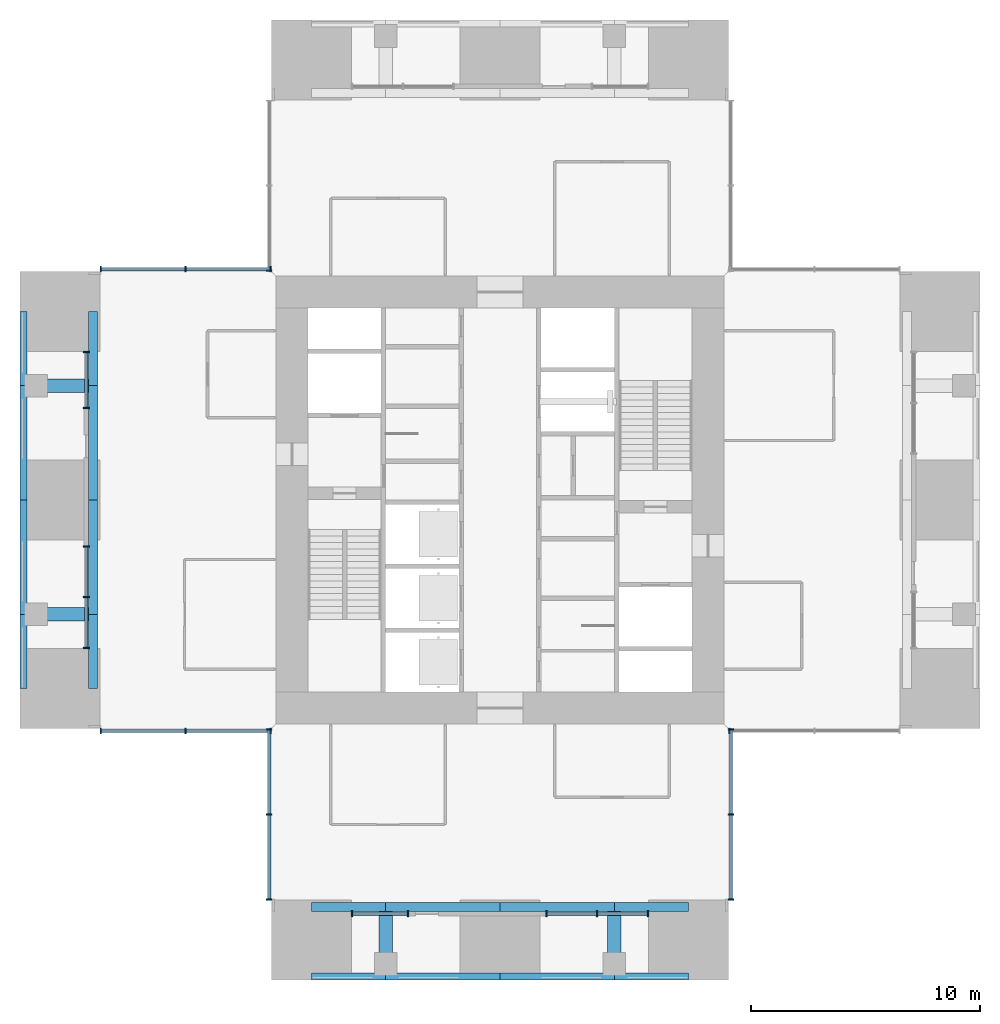
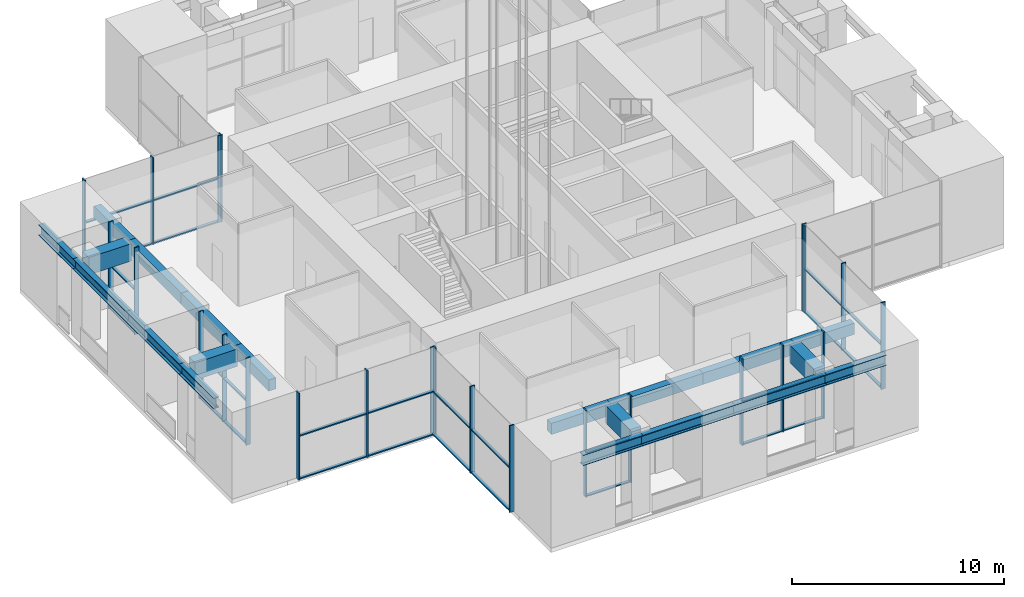
# One storey, part 2 of 17: 52 members, 20 beams, 10 elements without a shape of their own.
"""IFC4 building model written with IfcOpenShell, lengths in metres."""

from ifc_helpers import new_model, si_unit, direction, frame, origin, origin_2d, place, context, subcontext, project, spatial, rectangle, i_section, extrude, material, material_profile, profile_set, type_object, element, aggregate, save


model = new_model("IFC4")

# Units and contexts
model_context = context("Model", 3, precision=1e-05, world=origin(), true_north=direction((0.0, 1.0)))
body_context = subcontext(model_context, "Body", "Model", "MODEL_VIEW")
ifc_project = project(units=[si_unit("LENGTHUNIT", "METRE"), si_unit("AREAUNIT", "SQUARE_METRE"), si_unit("VOLUMEUNIT", "CUBIC_METRE"), si_unit("PLANEANGLEUNIT", "RADIAN"), si_unit("MASSUNIT", "GRAM", prefix="KILO")], contexts=[model_context])

# Site, building, storey
site_placement = place(None, origin())
site = spatial("IfcSite", under=ifc_project, at=site_placement, CompositionType="ELEMENT")
building_placement = place(site_placement, origin())
building = spatial("IfcBuilding", under=site, at=building_placement, Name="Svetlomir Tower", CompositionType="ELEMENT")
storey_placement = place(building_placement, frame((0.0, 0.0, 165.5)))
storey = spatial("IfcBuildingStorey", under=building, at=storey_placement, Name="L39", CompositionType="ELEMENT", Elevation=165.5)

# Curtain wall, members
ifc_material_1 = material(Name="Bronze anodised aluminium curtain wall", Category="aluminium")
curtain_wall_type = type_object("IfcCurtainWallType", Name="CURTAIN WALL CW2 SKY LOBBY", PredefinedType="NOTDEFINED", material=ifc_material_1)
curtain_wall_1_placement = place(storey_placement, origin())
curtain_wall_1 = element("IfcCurtainWall", 1, at=curtain_wall_1_placement, inside=storey, type_object=curtain_wall_type, Name="Curtain wall CW2 L39", PredefinedType="NOTDEFINED")
ifc_material_2 = material(Name="Bronze anodised aluminium", Category="aluminium")
ifc_material_profile_1 = material_profile(ifc_material_2, rectangle(XDim=0.06494140625, YDim=0.25, at=origin_2d()), Name="AL 65x250")
ifc_profile_set_1 = profile_set([ifc_material_profile_1], Name="Bronze anodised aluminium 6063-T6")
member_type_1 = type_object("IfcMemberType", Name="CW2 MULLION 65x250", PredefinedType="MULLION", material=ifc_profile_set_1)
member_1_placement = place(storey_placement, frame((14.532470703125, 2.89990234375, 0.0), z_axis=(0.0, 0.0, 1.0), x_axis=(1.0, 0.0, 0.0)))
member_1 = element("IfcMember", 2, at=member_1_placement, type_object=member_type_1, Name="CW2 mullion 1", PredefinedType="MULLION", context=body_context, shape_type="SweptSolid", body=[
    extrude(rectangle(XDim=0.06494140625, YDim=0.25, at=origin_2d()), origin(), (0.0, 0.0, 1.0), 5.0),
])
member_2_placement = place(storey_placement, frame((16.967529296875, 2.89990234375, 0.0), z_axis=(0.0, 0.0, 1.0), x_axis=(1.0, 0.0, 0.0)))
member_2 = element("IfcMember", 3, at=member_2_placement, type_object=member_type_1, Name="CW2 mullion 2", PredefinedType="MULLION", context=body_context, shape_type="SweptSolid", body=[
    extrude(rectangle(XDim=0.06494140625, YDim=0.25, at=origin_2d()), origin(), (0.0, 0.0, 1.0), 5.0),
])

curtain_wall_2_placement = place(storey_placement, origin())
curtain_wall_2 = element("IfcCurtainWall", 4, at=curtain_wall_2_placement, inside=storey, type_object=curtain_wall_type, Name="Curtain wall CW2 L39", PredefinedType="NOTDEFINED")
member_3_placement = place(storey_placement, frame((23.032470703125, 2.89990234375, 0.0), z_axis=(0.0, 0.0, 1.0), x_axis=(1.0, 0.0, 0.0)))
member_3 = element("IfcMember", 5, at=member_3_placement, type_object=member_type_1, Name="CW2 mullion 1", PredefinedType="MULLION", context=body_context, shape_type="SweptSolid", body=[
    extrude(rectangle(XDim=0.06494140625, YDim=0.25, at=origin_2d()), origin(), (0.0, 0.0, 1.0), 5.0),
])
member_4_placement = place(storey_placement, frame((25.25, 2.89990234375, 0.0), z_axis=(0.0, 0.0, 1.0), x_axis=(1.0, 0.0, 0.0)))
member_4 = element("IfcMember", 6, at=member_4_placement, type_object=member_type_1, Name="CW2 mullion 2", PredefinedType="MULLION", context=body_context, shape_type="SweptSolid", body=[
    extrude(rectangle(XDim=0.06494140625, YDim=0.25, at=origin_2d()), origin(), (0.0, 0.0, 1.0), 5.0),
])
member_5_placement = place(storey_placement, frame((27.467529296875, 2.89990234375, 0.0), z_axis=(0.0, 0.0, 1.0), x_axis=(1.0, 0.0, 0.0)))
member_5 = element("IfcMember", 7, at=member_5_placement, type_object=member_type_1, Name="CW2 mullion 3", PredefinedType="MULLION", context=body_context, shape_type="SweptSolid", body=[
    extrude(rectangle(XDim=0.06494140625, YDim=0.25, at=origin_2d()), origin(), (0.0, 0.0, 1.0), 5.0),
])

curtain_wall_3_placement = place(storey_placement, origin())
curtain_wall_3 = element("IfcCurtainWall", 8, at=curtain_wall_3_placement, inside=storey, type_object=curtain_wall_type, Name="Curtain wall CW2 L39", PredefinedType="NOTDEFINED")
member_6_placement = place(storey_placement, frame((31.10009765625, 3.532470703125, 0.0), z_axis=(0.0, 0.0, 1.0), x_axis=(0.0, 1.0, 0.0)))
member_6 = element("IfcMember", 9, at=member_6_placement, type_object=member_type_1, Name="CW2 mullion 1", PredefinedType="MULLION", context=body_context, shape_type="SweptSolid", body=[
    extrude(rectangle(XDim=0.06494140625, YDim=0.25, at=origin_2d()), origin(), (0.0, 0.0, 1.0), 5.0),
])
member_7_placement = place(storey_placement, frame((31.10009765625, 7.25, 0.0), z_axis=(0.0, 0.0, 1.0), x_axis=(0.0, 1.0, 0.0)))
member_7 = element("IfcMember", 10, at=member_7_placement, type_object=member_type_1, Name="CW2 mullion 2", PredefinedType="MULLION", context=body_context, shape_type="SweptSolid", body=[
    extrude(rectangle(XDim=0.06494140625, YDim=0.25, at=origin_2d()), origin(), (0.0, 0.0, 1.0), 5.0),
])
member_8_placement = place(storey_placement, frame((31.10009765625, 10.967529296875, 0.0), z_axis=(0.0, 0.0, 1.0), x_axis=(0.0, 1.0, 0.0)))
member_8 = element("IfcMember", 11, at=member_8_placement, type_object=member_type_1, Name="CW2 mullion 3", PredefinedType="MULLION", context=body_context, shape_type="SweptSolid", body=[
    extrude(rectangle(XDim=0.06494140625, YDim=0.25, at=origin_2d()), origin(), (0.0, 0.0, 1.0), 5.0),
])

# Curtain wall, member
curtain_wall_4_placement = place(storey_placement, origin())
curtain_wall_4 = element("IfcCurtainWall", 12, at=curtain_wall_4_placement, inside=storey, type_object=curtain_wall_type, Name="Curtain wall CW2 L39", PredefinedType="NOTDEFINED")
member_9_placement = place(storey_placement, frame((31.032470703125, 10.89990234375, 0.0), z_axis=(0.0, 0.0, 1.0), x_axis=(1.0, 0.0, 0.0)))
member_9 = element("IfcMember", 13, at=member_9_placement, type_object=member_type_1, Name="CW2 mullion 1", PredefinedType="MULLION", context=body_context, shape_type="SweptSolid", body=[
    extrude(rectangle(XDim=0.06494140625, YDim=0.25, at=origin_2d()), origin(), (0.0, 0.0, 1.0), 5.0),
])
aggregate(curtain_wall_4, [member_9])

curtain_wall_5_placement = place(storey_placement, origin())
curtain_wall_5 = element("IfcCurtainWall", 14, at=curtain_wall_5_placement, inside=storey, type_object=curtain_wall_type, Name="Curtain wall CW2 L39", PredefinedType="NOTDEFINED")
member_10_placement = place(storey_placement, frame((10.89990234375, 31.032470703125, 0.0), z_axis=(0.0, 0.0, 1.0), x_axis=(0.0, -1.0, 0.0)))
member_10 = element("IfcMember", 15, at=member_10_placement, type_object=member_type_1, Name="CW2 mullion 3", PredefinedType="MULLION", context=body_context, shape_type="SweptSolid", body=[
    extrude(rectangle(XDim=0.06494140625, YDim=0.25, at=origin_2d()), origin(), (0.0, 0.0, 1.0), 5.0),
])
aggregate(curtain_wall_5, [member_10])

# Curtain wall, members
curtain_wall_6_placement = place(storey_placement, origin())
curtain_wall_6 = element("IfcCurtainWall", 16, at=curtain_wall_6_placement, inside=storey, type_object=curtain_wall_type, Name="Curtain wall CW2 L39", PredefinedType="NOTDEFINED")
member_11_placement = place(storey_placement, frame((10.967529296875, 31.10009765625, 0.0), z_axis=(0.0, 0.0, 1.0), x_axis=(-1.0, 0.0, 0.0)))
member_11 = element("IfcMember", 17, at=member_11_placement, type_object=member_type_1, Name="CW2 mullion 1", PredefinedType="MULLION", context=body_context, shape_type="SweptSolid", body=[
    extrude(rectangle(XDim=0.06494140625, YDim=0.25, at=origin_2d()), origin(), (0.0, 0.0, 1.0), 5.0),
])
member_12_placement = place(storey_placement, frame((7.25, 31.10009765625, 0.0), z_axis=(0.0, 0.0, 1.0), x_axis=(-1.0, 0.0, 0.0)))
member_12 = element("IfcMember", 18, at=member_12_placement, type_object=member_type_1, Name="CW2 mullion 2", PredefinedType="MULLION", context=body_context, shape_type="SweptSolid", body=[
    extrude(rectangle(XDim=0.06494140625, YDim=0.25, at=origin_2d()), origin(), (0.0, 0.0, 1.0), 5.0),
])
member_13_placement = place(storey_placement, frame((3.532470703125, 31.10009765625, 0.0), z_axis=(0.0, 0.0, 1.0), x_axis=(-1.0, 0.0, 0.0)))
member_13 = element("IfcMember", 19, at=member_13_placement, type_object=member_type_1, Name="CW2 mullion 3", PredefinedType="MULLION", context=body_context, shape_type="SweptSolid", body=[
    extrude(rectangle(XDim=0.06494140625, YDim=0.25, at=origin_2d()), origin(), (0.0, 0.0, 1.0), 5.0),
])

curtain_wall_7_placement = place(storey_placement, origin())
curtain_wall_7 = element("IfcCurtainWall", 20, at=curtain_wall_7_placement, inside=storey, type_object=curtain_wall_type, Name="Curtain wall CW2 L39", PredefinedType="NOTDEFINED")
member_14_placement = place(storey_placement, frame((2.89990234375, 27.467529296875, 0.0), z_axis=(0.0, 0.0, 1.0), x_axis=(0.0, -1.0, 0.0)))
member_14 = element("IfcMember", 21, at=member_14_placement, type_object=member_type_1, Name="CW2 mullion 1", PredefinedType="MULLION", context=body_context, shape_type="SweptSolid", body=[
    extrude(rectangle(XDim=0.06494140625, YDim=0.25, at=origin_2d()), origin(), (0.0, 0.0, 1.0), 5.0),
])
member_15_placement = place(storey_placement, frame((2.89990234375, 25.032470703125, 0.0), z_axis=(0.0, 0.0, 1.0), x_axis=(0.0, -1.0, 0.0)))
member_15 = element("IfcMember", 22, at=member_15_placement, type_object=member_type_1, Name="CW2 mullion 2", PredefinedType="MULLION", context=body_context, shape_type="SweptSolid", body=[
    extrude(rectangle(XDim=0.06494140625, YDim=0.25, at=origin_2d()), origin(), (0.0, 0.0, 1.0), 5.0),
])

curtain_wall_8_placement = place(storey_placement, origin())
curtain_wall_8 = element("IfcCurtainWall", 23, at=curtain_wall_8_placement, inside=storey, type_object=curtain_wall_type, Name="Curtain wall CW2 L39", PredefinedType="NOTDEFINED")
member_16_placement = place(storey_placement, frame((2.89990234375, 18.967529296875, 0.0), z_axis=(0.0, 0.0, 1.0), x_axis=(0.0, -1.0, 0.0)))
member_16 = element("IfcMember", 24, at=member_16_placement, type_object=member_type_1, Name="CW2 mullion 1", PredefinedType="MULLION", context=body_context, shape_type="SweptSolid", body=[
    extrude(rectangle(XDim=0.06494140625, YDim=0.25, at=origin_2d()), origin(), (0.0, 0.0, 1.0), 5.0),
])
member_17_placement = place(storey_placement, frame((2.89990234375, 16.75, 0.0), z_axis=(0.0, 0.0, 1.0), x_axis=(0.0, -1.0, 0.0)))
member_17 = element("IfcMember", 25, at=member_17_placement, type_object=member_type_1, Name="CW2 mullion 2", PredefinedType="MULLION", context=body_context, shape_type="SweptSolid", body=[
    extrude(rectangle(XDim=0.06494140625, YDim=0.25, at=origin_2d()), origin(), (0.0, 0.0, 1.0), 5.0),
])
member_18_placement = place(storey_placement, frame((2.89990234375, 14.532470703125, 0.0), z_axis=(0.0, 0.0, 1.0), x_axis=(0.0, -1.0, 0.0)))
member_18 = element("IfcMember", 26, at=member_18_placement, type_object=member_type_1, Name="CW2 mullion 3", PredefinedType="MULLION", context=body_context, shape_type="SweptSolid", body=[
    extrude(rectangle(XDim=0.06494140625, YDim=0.25, at=origin_2d()), origin(), (0.0, 0.0, 1.0), 5.0),
])

curtain_wall_9_placement = place(storey_placement, origin())
curtain_wall_9 = element("IfcCurtainWall", 27, at=curtain_wall_9_placement, inside=storey, type_object=curtain_wall_type, Name="Curtain wall CW2 L39", PredefinedType="NOTDEFINED")
member_19_placement = place(storey_placement, frame((3.532470703125, 10.89990234375, 0.0), z_axis=(0.0, 0.0, 1.0), x_axis=(1.0, 0.0, 0.0)))
member_19 = element("IfcMember", 28, at=member_19_placement, type_object=member_type_1, Name="CW2 mullion 1", PredefinedType="MULLION", context=body_context, shape_type="SweptSolid", body=[
    extrude(rectangle(XDim=0.06494140625, YDim=0.25, at=origin_2d()), origin(), (0.0, 0.0, 1.0), 5.0),
])
member_20_placement = place(storey_placement, frame((7.25, 10.89990234375, 0.0), z_axis=(0.0, 0.0, 1.0), x_axis=(1.0, 0.0, 0.0)))
member_20 = element("IfcMember", 29, at=member_20_placement, type_object=member_type_1, Name="CW2 mullion 2", PredefinedType="MULLION", context=body_context, shape_type="SweptSolid", body=[
    extrude(rectangle(XDim=0.06494140625, YDim=0.25, at=origin_2d()), origin(), (0.0, 0.0, 1.0), 5.0),
])
member_21_placement = place(storey_placement, frame((10.967529296875, 10.89990234375, 0.0), z_axis=(0.0, 0.0, 1.0), x_axis=(1.0, 0.0, 0.0)))
member_21 = element("IfcMember", 30, at=member_21_placement, type_object=member_type_1, Name="CW2 mullion 3", PredefinedType="MULLION", context=body_context, shape_type="SweptSolid", body=[
    extrude(rectangle(XDim=0.06494140625, YDim=0.25, at=origin_2d()), origin(), (0.0, 0.0, 1.0), 5.0),
])

curtain_wall_10_placement = place(storey_placement, origin())
curtain_wall_10 = element("IfcCurtainWall", 31, at=curtain_wall_10_placement, inside=storey, type_object=curtain_wall_type, Name="Curtain wall CW2 L39", PredefinedType="NOTDEFINED")
member_22_placement = place(storey_placement, frame((10.89990234375, 10.967529296875, 0.0), z_axis=(0.0, 0.0, 1.0), x_axis=(0.0, -1.0, 0.0)))
member_22 = element("IfcMember", 32, at=member_22_placement, type_object=member_type_1, Name="CW2 mullion 1", PredefinedType="MULLION", context=body_context, shape_type="SweptSolid", body=[
    extrude(rectangle(XDim=0.06494140625, YDim=0.25, at=origin_2d()), origin(), (0.0, 0.0, 1.0), 5.0),
])
member_23_placement = place(storey_placement, frame((10.89990234375, 7.25, 0.0), z_axis=(0.0, 0.0, 1.0), x_axis=(0.0, -1.0, 0.0)))
member_23 = element("IfcMember", 33, at=member_23_placement, type_object=member_type_1, Name="CW2 mullion 2", PredefinedType="MULLION", context=body_context, shape_type="SweptSolid", body=[
    extrude(rectangle(XDim=0.06494140625, YDim=0.25, at=origin_2d()), origin(), (0.0, 0.0, 1.0), 5.0),
])
member_24_placement = place(storey_placement, frame((10.89990234375, 3.532470703125, 0.0), z_axis=(0.0, 0.0, 1.0), x_axis=(0.0, -1.0, 0.0)))
member_24 = element("IfcMember", 34, at=member_24_placement, type_object=member_type_1, Name="CW2 mullion 3", PredefinedType="MULLION", context=body_context, shape_type="SweptSolid", body=[
    extrude(rectangle(XDim=0.06494140625, YDim=0.25, at=origin_2d()), origin(), (0.0, 0.0, 1.0), 5.0),
])

# Member
ifc_material_3 = material(Name="Bronze anodised aluminium", Category="aluminium")
ifc_material_profile_2 = material_profile(ifc_material_3, rectangle(XDim=0.159912109375, YDim=0.06494140625, at=origin_2d()), Name="AL 160x65")
ifc_profile_set_2 = profile_set([ifc_material_profile_2], Name="Bronze anodised aluminium 6063-T6")
member_type_2 = type_object("IfcMemberType", Name="CW2 TRANSOM 65x160", PredefinedType="USERDEFINED", material=ifc_profile_set_2)
member_25_placement = place(storey_placement, frame((14.56494140625, 2.89990234375, 0.032470703125), z_axis=(1.0, 0.0, 0.0), x_axis=(0.0, 1.0, 0.0)))
member_25 = element("IfcMember", 35, at=member_25_placement, type_object=member_type_2, Name="CW2 transom 1.1", ObjectType="TRANSOM", PredefinedType="USERDEFINED", context=body_context, shape_type="SweptSolid", body=[
    extrude(rectangle(XDim=0.159912109375, YDim=0.06494140625, at=origin_2d()), origin(), (0.0, 0.0, 1.0), 2.3701171875),
])

member_26_placement = place(storey_placement, frame((14.56494140625, 2.89990234375, 2.5), z_axis=(1.0, 0.0, 0.0), x_axis=(0.0, 1.0, 0.0)))
member_26 = element("IfcMember", 36, at=member_26_placement, type_object=member_type_2, Name="CW2 transom 1.2", ObjectType="TRANSOM", PredefinedType="USERDEFINED", context=body_context, shape_type="SweptSolid", body=[
    extrude(rectangle(XDim=0.159912109375, YDim=0.06494140625, at=origin_2d()), origin(), (0.0, 0.0, 1.0), 2.3701171875),
])

aggregate(curtain_wall_1, [member_1, member_2, member_25, member_26])

member_27_placement = place(storey_placement, frame((23.06494140625, 2.89990234375, 0.032470703125), z_axis=(1.0, 0.0, 0.0), x_axis=(0.0, 1.0, 0.0)))
member_27 = element("IfcMember", 37, at=member_27_placement, type_object=member_type_2, Name="CW2 transom 1.1", ObjectType="TRANSOM", PredefinedType="USERDEFINED", context=body_context, shape_type="SweptSolid", body=[
    extrude(rectangle(XDim=0.159912109375, YDim=0.06494140625, at=origin_2d()), origin(), (0.0, 0.0, 1.0), 2.152587890625),
])

member_28_placement = place(storey_placement, frame((23.06494140625, 2.89990234375, 2.5), z_axis=(1.0, 0.0, 0.0), x_axis=(0.0, 1.0, 0.0)))
member_28 = element("IfcMember", 38, at=member_28_placement, type_object=member_type_2, Name="CW2 transom 1.2", ObjectType="TRANSOM", PredefinedType="USERDEFINED", context=body_context, shape_type="SweptSolid", body=[
    extrude(rectangle(XDim=0.159912109375, YDim=0.06494140625, at=origin_2d()), origin(), (0.0, 0.0, 1.0), 2.152587890625),
])

member_29_placement = place(storey_placement, frame((25.282470703125, 2.89990234375, 0.032470703125), z_axis=(1.0, 0.0, 0.0), x_axis=(0.0, 1.0, 0.0)))
member_29 = element("IfcMember", 39, at=member_29_placement, type_object=member_type_2, Name="CW2 transom 2.1", ObjectType="TRANSOM", PredefinedType="USERDEFINED", context=body_context, shape_type="SweptSolid", body=[
    extrude(rectangle(XDim=0.159912109375, YDim=0.06494140625, at=origin_2d()), origin(), (0.0, 0.0, 1.0), 2.152587890625),
])

member_30_placement = place(storey_placement, frame((25.282470703125, 2.89990234375, 2.5), z_axis=(1.0, 0.0, 0.0), x_axis=(0.0, 1.0, 0.0)))
member_30 = element("IfcMember", 40, at=member_30_placement, type_object=member_type_2, Name="CW2 transom 2.2", ObjectType="TRANSOM", PredefinedType="USERDEFINED", context=body_context, shape_type="SweptSolid", body=[
    extrude(rectangle(XDim=0.159912109375, YDim=0.06494140625, at=origin_2d()), origin(), (0.0, 0.0, 1.0), 2.152587890625),
])

aggregate(curtain_wall_2, [member_3, member_4, member_5, member_27, member_28, member_29, member_30])

member_31_placement = place(storey_placement, frame((31.10009765625, 3.56494140625, 0.032470703125), z_axis=(0.0, 1.0, 0.0), x_axis=(-1.0, 0.0, 0.0)))
member_31 = element("IfcMember", 41, at=member_31_placement, type_object=member_type_2, Name="CW2 transom 1.1", ObjectType="TRANSOM", PredefinedType="USERDEFINED", context=body_context, shape_type="SweptSolid", body=[
    extrude(rectangle(XDim=0.159912109375, YDim=0.06494140625, at=origin_2d()), origin(), (0.0, 0.0, 1.0), 3.652587890625),
])

member_32_placement = place(storey_placement, frame((31.10009765625, 3.56494140625, 2.5), z_axis=(0.0, 1.0, 0.0), x_axis=(-1.0, 0.0, 0.0)))
member_32 = element("IfcMember", 42, at=member_32_placement, type_object=member_type_2, Name="CW2 transom 1.2", ObjectType="TRANSOM", PredefinedType="USERDEFINED", context=body_context, shape_type="SweptSolid", body=[
    extrude(rectangle(XDim=0.159912109375, YDim=0.06494140625, at=origin_2d()), origin(), (0.0, 0.0, 1.0), 3.652587890625),
])

member_33_placement = place(storey_placement, frame((31.10009765625, 7.282470703125, 0.032470703125), z_axis=(0.0, 1.0, 0.0), x_axis=(-1.0, 0.0, 0.0)))
member_33 = element("IfcMember", 43, at=member_33_placement, type_object=member_type_2, Name="CW2 transom 2.1", ObjectType="TRANSOM", PredefinedType="USERDEFINED", context=body_context, shape_type="SweptSolid", body=[
    extrude(rectangle(XDim=0.159912109375, YDim=0.06494140625, at=origin_2d()), origin(), (0.0, 0.0, 1.0), 3.652587890625),
])

member_34_placement = place(storey_placement, frame((31.10009765625, 7.282470703125, 2.5), z_axis=(0.0, 1.0, 0.0), x_axis=(-1.0, 0.0, 0.0)))
member_34 = element("IfcMember", 44, at=member_34_placement, type_object=member_type_2, Name="CW2 transom 2.2", ObjectType="TRANSOM", PredefinedType="USERDEFINED", context=body_context, shape_type="SweptSolid", body=[
    extrude(rectangle(XDim=0.159912109375, YDim=0.06494140625, at=origin_2d()), origin(), (0.0, 0.0, 1.0), 3.652587890625),
])

aggregate(curtain_wall_3, [member_6, member_7, member_8, member_31, member_32, member_33, member_34])

member_35_placement = place(storey_placement, frame((10.93505859375, 31.10009765625, 0.032470703125), z_axis=(-1.0, 0.0, 0.0), x_axis=(0.0, -1.0, 0.0)))
member_35 = element("IfcMember", 45, at=member_35_placement, type_object=member_type_2, Name="CW2 transom 1.1", ObjectType="TRANSOM", PredefinedType="USERDEFINED", context=body_context, shape_type="SweptSolid", body=[
    extrude(rectangle(XDim=0.159912109375, YDim=0.06494140625, at=origin_2d()), origin(), (0.0, 0.0, 1.0), 3.652587890625),
])

member_36_placement = place(storey_placement, frame((10.93505859375, 31.10009765625, 2.5), z_axis=(-1.0, 0.0, 0.0), x_axis=(0.0, -1.0, 0.0)))
member_36 = element("IfcMember", 46, at=member_36_placement, type_object=member_type_2, Name="CW2 transom 1.2", ObjectType="TRANSOM", PredefinedType="USERDEFINED", context=body_context, shape_type="SweptSolid", body=[
    extrude(rectangle(XDim=0.159912109375, YDim=0.06494140625, at=origin_2d()), origin(), (0.0, 0.0, 1.0), 3.652587890625),
])

member_37_placement = place(storey_placement, frame((7.217529296875, 31.10009765625, 0.032470703125), z_axis=(-1.0, 0.0, 0.0), x_axis=(0.0, -1.0, 0.0)))
member_37 = element("IfcMember", 47, at=member_37_placement, type_object=member_type_2, Name="CW2 transom 2.1", ObjectType="TRANSOM", PredefinedType="USERDEFINED", context=body_context, shape_type="SweptSolid", body=[
    extrude(rectangle(XDim=0.159912109375, YDim=0.06494140625, at=origin_2d()), origin(), (0.0, 0.0, 1.0), 3.652587890625),
])

member_38_placement = place(storey_placement, frame((7.217529296875, 31.10009765625, 2.5), z_axis=(-1.0, 0.0, 0.0), x_axis=(0.0, -1.0, 0.0)))
member_38 = element("IfcMember", 48, at=member_38_placement, type_object=member_type_2, Name="CW2 transom 2.2", ObjectType="TRANSOM", PredefinedType="USERDEFINED", context=body_context, shape_type="SweptSolid", body=[
    extrude(rectangle(XDim=0.159912109375, YDim=0.06494140625, at=origin_2d()), origin(), (0.0, 0.0, 1.0), 3.652587890625),
])

aggregate(curtain_wall_6, [member_11, member_12, member_13, member_35, member_36, member_37, member_38])

member_39_placement = place(storey_placement, frame((2.89990234375, 27.43505859375, 0.032470703125), z_axis=(0.0, -1.0, 0.0), x_axis=(1.0, 0.0, 0.0)))
member_39 = element("IfcMember", 49, at=member_39_placement, type_object=member_type_2, Name="CW2 transom 1.1", ObjectType="TRANSOM", PredefinedType="USERDEFINED", context=body_context, shape_type="SweptSolid", body=[
    extrude(rectangle(XDim=0.159912109375, YDim=0.06494140625, at=origin_2d()), origin(), (0.0, 0.0, 1.0), 2.3701171875),
])

member_40_placement = place(storey_placement, frame((2.89990234375, 27.43505859375, 2.5), z_axis=(0.0, -1.0, 0.0), x_axis=(1.0, 0.0, 0.0)))
member_40 = element("IfcMember", 50, at=member_40_placement, type_object=member_type_2, Name="CW2 transom 1.2", ObjectType="TRANSOM", PredefinedType="USERDEFINED", context=body_context, shape_type="SweptSolid", body=[
    extrude(rectangle(XDim=0.159912109375, YDim=0.06494140625, at=origin_2d()), origin(), (0.0, 0.0, 1.0), 2.3701171875),
])

aggregate(curtain_wall_7, [member_14, member_15, member_39, member_40])

member_41_placement = place(storey_placement, frame((2.89990234375, 18.93505859375, 0.032470703125), z_axis=(0.0, -1.0, 0.0), x_axis=(1.0, 0.0, 0.0)))
member_41 = element("IfcMember", 51, at=member_41_placement, type_object=member_type_2, Name="CW2 transom 1.1", ObjectType="TRANSOM", PredefinedType="USERDEFINED", context=body_context, shape_type="SweptSolid", body=[
    extrude(rectangle(XDim=0.159912109375, YDim=0.06494140625, at=origin_2d()), origin(), (0.0, 0.0, 1.0), 2.152587890625),
])

member_42_placement = place(storey_placement, frame((2.89990234375, 18.93505859375, 2.5), z_axis=(0.0, -1.0, 0.0), x_axis=(1.0, 0.0, 0.0)))
member_42 = element("IfcMember", 52, at=member_42_placement, type_object=member_type_2, Name="CW2 transom 1.2", ObjectType="TRANSOM", PredefinedType="USERDEFINED", context=body_context, shape_type="SweptSolid", body=[
    extrude(rectangle(XDim=0.159912109375, YDim=0.06494140625, at=origin_2d()), origin(), (0.0, 0.0, 1.0), 2.152587890625),
])

member_43_placement = place(storey_placement, frame((2.89990234375, 16.717529296875, 0.032470703125), z_axis=(0.0, -1.0, 0.0), x_axis=(1.0, 0.0, 0.0)))
member_43 = element("IfcMember", 53, at=member_43_placement, type_object=member_type_2, Name="CW2 transom 2.1", ObjectType="TRANSOM", PredefinedType="USERDEFINED", context=body_context, shape_type="SweptSolid", body=[
    extrude(rectangle(XDim=0.159912109375, YDim=0.06494140625, at=origin_2d()), origin(), (0.0, 0.0, 1.0), 2.152587890625),
])

member_44_placement = place(storey_placement, frame((2.89990234375, 16.717529296875, 2.5), z_axis=(0.0, -1.0, 0.0), x_axis=(1.0, 0.0, 0.0)))
member_44 = element("IfcMember", 54, at=member_44_placement, type_object=member_type_2, Name="CW2 transom 2.2", ObjectType="TRANSOM", PredefinedType="USERDEFINED", context=body_context, shape_type="SweptSolid", body=[
    extrude(rectangle(XDim=0.159912109375, YDim=0.06494140625, at=origin_2d()), origin(), (0.0, 0.0, 1.0), 2.152587890625),
])

aggregate(curtain_wall_8, [member_16, member_17, member_18, member_41, member_42, member_43, member_44])

member_45_placement = place(storey_placement, frame((3.56494140625, 10.89990234375, 0.032470703125), z_axis=(1.0, 0.0, 0.0), x_axis=(0.0, 1.0, 0.0)))
member_45 = element("IfcMember", 55, at=member_45_placement, type_object=member_type_2, Name="CW2 transom 1.1", ObjectType="TRANSOM", PredefinedType="USERDEFINED", context=body_context, shape_type="SweptSolid", body=[
    extrude(rectangle(XDim=0.159912109375, YDim=0.06494140625, at=origin_2d()), origin(), (0.0, 0.0, 1.0), 3.652587890625),
])

member_46_placement = place(storey_placement, frame((3.56494140625, 10.89990234375, 2.5), z_axis=(1.0, 0.0, 0.0), x_axis=(0.0, 1.0, 0.0)))
member_46 = element("IfcMember", 56, at=member_46_placement, type_object=member_type_2, Name="CW2 transom 1.2", ObjectType="TRANSOM", PredefinedType="USERDEFINED", context=body_context, shape_type="SweptSolid", body=[
    extrude(rectangle(XDim=0.159912109375, YDim=0.06494140625, at=origin_2d()), origin(), (0.0, 0.0, 1.0), 3.652587890625),
])

member_47_placement = place(storey_placement, frame((7.282470703125, 10.89990234375, 0.032470703125), z_axis=(1.0, 0.0, 0.0), x_axis=(0.0, 1.0, 0.0)))
member_47 = element("IfcMember", 57, at=member_47_placement, type_object=member_type_2, Name="CW2 transom 2.1", ObjectType="TRANSOM", PredefinedType="USERDEFINED", context=body_context, shape_type="SweptSolid", body=[
    extrude(rectangle(XDim=0.159912109375, YDim=0.06494140625, at=origin_2d()), origin(), (0.0, 0.0, 1.0), 3.652587890625),
])

member_48_placement = place(storey_placement, frame((7.282470703125, 10.89990234375, 2.5), z_axis=(1.0, 0.0, 0.0), x_axis=(0.0, 1.0, 0.0)))
member_48 = element("IfcMember", 58, at=member_48_placement, type_object=member_type_2, Name="CW2 transom 2.2", ObjectType="TRANSOM", PredefinedType="USERDEFINED", context=body_context, shape_type="SweptSolid", body=[
    extrude(rectangle(XDim=0.159912109375, YDim=0.06494140625, at=origin_2d()), origin(), (0.0, 0.0, 1.0), 3.652587890625),
])

aggregate(curtain_wall_9, [member_19, member_20, member_21, member_45, member_46, member_47, member_48])

member_49_placement = place(storey_placement, frame((10.89990234375, 10.93505859375, 0.032470703125), z_axis=(0.0, -1.0, 0.0), x_axis=(1.0, 0.0, 0.0)))
member_49 = element("IfcMember", 59, at=member_49_placement, type_object=member_type_2, Name="CW2 transom 1.1", ObjectType="TRANSOM", PredefinedType="USERDEFINED", context=body_context, shape_type="SweptSolid", body=[
    extrude(rectangle(XDim=0.159912109375, YDim=0.06494140625, at=origin_2d()), origin(), (0.0, 0.0, 1.0), 3.652587890625),
])

member_50_placement = place(storey_placement, frame((10.89990234375, 10.93505859375, 2.5), z_axis=(0.0, -1.0, 0.0), x_axis=(1.0, 0.0, 0.0)))
member_50 = element("IfcMember", 60, at=member_50_placement, type_object=member_type_2, Name="CW2 transom 1.2", ObjectType="TRANSOM", PredefinedType="USERDEFINED", context=body_context, shape_type="SweptSolid", body=[
    extrude(rectangle(XDim=0.159912109375, YDim=0.06494140625, at=origin_2d()), origin(), (0.0, 0.0, 1.0), 3.652587890625),
])

member_51_placement = place(storey_placement, frame((10.89990234375, 7.217529296875, 0.032470703125), z_axis=(0.0, -1.0, 0.0), x_axis=(1.0, 0.0, 0.0)))
member_51 = element("IfcMember", 61, at=member_51_placement, type_object=member_type_2, Name="CW2 transom 2.1", ObjectType="TRANSOM", PredefinedType="USERDEFINED", context=body_context, shape_type="SweptSolid", body=[
    extrude(rectangle(XDim=0.159912109375, YDim=0.06494140625, at=origin_2d()), origin(), (0.0, 0.0, 1.0), 3.652587890625),
])

member_52_placement = place(storey_placement, frame((10.89990234375, 7.217529296875, 2.5), z_axis=(0.0, -1.0, 0.0), x_axis=(1.0, 0.0, 0.0)))
member_52 = element("IfcMember", 62, at=member_52_placement, type_object=member_type_2, Name="CW2 transom 2.2", ObjectType="TRANSOM", PredefinedType="USERDEFINED", context=body_context, shape_type="SweptSolid", body=[
    extrude(rectangle(XDim=0.159912109375, YDim=0.06494140625, at=origin_2d()), origin(), (0.0, 0.0, 1.0), 3.652587890625),
])

aggregate(curtain_wall_10, [member_22, member_23, member_24, member_49, member_50, member_51, member_52])

# Beams
ifc_material_4 = material(Name="Steel S355", Category="steel")
ifc_material_profile_3 = material_profile(ifc_material_4, i_section(OverallWidth=0.304931640625, OverallDepth=0.6201171875, WebThickness=0.02099609375, FlangeThickness=0.0400390625, FilletRadius=0.027099609375, at=origin_2d()), Name="HEM 600")
ifc_profile_set_3 = profile_set([ifc_material_profile_3], Name="Steel S355")
beam_type_1 = type_object("IfcBeamType", Name="EDGE BEAM HEM 600", PredefinedType="SPANDREL", material=ifc_profile_set_3)
for number, where, z_axis, x_axis, name in (
    (63, (12.75, 0.152587890625, 4.43994140625), (1.0, 0.0, 0.0), (0.0, 1.0, 0.0), "Edge beam 11/0 to 16/0 under L40"),
    (64, (0.152587890625, 12.75, 4.43994140625), (0.0, 1.0, 0.0), (-1.0, 0.0, 0.0), "Edge beam 0/11 to 0/16 under L40"),
):
    element("IfcBeam", number, at=place(storey_placement, frame(where, z_axis=z_axis, x_axis=x_axis)), inside=storey, type_object=beam_type_1, Name=name, PredefinedType="SPANDREL", context=body_context, shape_type="SweptSolid", body=[
        extrude(i_section(OverallWidth=0.304931640625, OverallDepth=0.6201171875, WebThickness=0.02099609375, FlangeThickness=0.0400390625, FilletRadius=0.027099609375, at=origin_2d()), origin(), (0.0, 0.0, 1.0), 3.25),
    ])
for number, where, z_axis, x_axis, name in (
    (65, (16.0, 0.152587890625, 4.43994140625), (1.0, 0.0, 0.0), (0.0, 1.0, 0.0), "Edge beam 16/0 to 21/0 under L40"),
    (66, (0.152587890625, 16.0, 4.43994140625), (0.0, 1.0, 0.0), (-1.0, 0.0, 0.0), "Edge beam 0/16 to 0/21 under L40"),
    (67, (21.0, 0.152587890625, 4.43994140625), (1.0, 0.0, 0.0), (0.0, 1.0, 0.0), "Edge beam 21/0 to 26/0 under L40"),
    (68, (0.152587890625, 21.0, 4.43994140625), (0.0, 1.0, 0.0), (-1.0, 0.0, 0.0), "Edge beam 0/21 to 0/26 under L40"),
):
    element("IfcBeam", number, at=place(storey_placement, frame(where, z_axis=z_axis, x_axis=x_axis)), inside=storey, type_object=beam_type_1, Name=name, PredefinedType="SPANDREL", context=body_context, shape_type="SweptSolid", body=[
        extrude(i_section(OverallWidth=0.304931640625, OverallDepth=0.6201171875, WebThickness=0.02099609375, FlangeThickness=0.0400390625, FilletRadius=0.027099609375, at=origin_2d()), origin(), (0.0, 0.0, 1.0), 5.0),
    ])
for number, where, z_axis, x_axis, name in (
    (69, (26.0, 0.152587890625, 4.43994140625), (1.0, 0.0, 0.0), (0.0, 1.0, 0.0), "Edge beam 26/0 to 31/0 under L40"),
    (70, (0.152587890625, 26.0, 4.43994140625), (0.0, 1.0, 0.0), (-1.0, 0.0, 0.0), "Edge beam 0/26 to 0/31 under L40"),
):
    element("IfcBeam", number, at=place(storey_placement, frame(where, z_axis=z_axis, x_axis=x_axis)), inside=storey, type_object=beam_type_1, Name=name, PredefinedType="SPANDREL", context=body_context, shape_type="SweptSolid", body=[
        extrude(i_section(OverallWidth=0.304931640625, OverallDepth=0.6201171875, WebThickness=0.02099609375, FlangeThickness=0.0400390625, FilletRadius=0.027099609375, at=origin_2d()), origin(), (0.0, 0.0, 1.0), 3.25),
    ])
ifc_material_5 = material(Name="Concrete C60/75", Category="concrete")
ifc_material_profile_4 = material_profile(ifc_material_5, rectangle(XDim=0.39990234375, YDim=0.64990234375, at=origin_2d()), Name="RC 400x650")
ifc_profile_set_4 = profile_set([ifc_material_profile_4], Name="Concrete C60/75")
beam_type_2 = type_object("IfcBeamType", Name="FACADE EDGE BEAM RC 400x650", PredefinedType="BEAM", material=ifc_profile_set_4)
beam_1_placement = place(storey_placement, frame((12.75, 3.199951171875, 4.425048828125), z_axis=(1.0, 0.0, 0.0), x_axis=(0.0, 1.0, 0.0)))
element("IfcBeam", 71, at=beam_1_placement, inside=storey, type_object=beam_type_2, Name="Facade edge beam S 11 to 16 under L40", PredefinedType="BEAM", context=body_context, shape_type="SweptSolid", body=[
    extrude(rectangle(XDim=0.39990234375, YDim=0.64990234375, at=origin_2d()), origin(), (0.0, 0.0, 1.0), 3.25),
])
for number, where, z_axis, x_axis, name in (
    (72, (16.0, 3.199951171875, 4.425048828125), (1.0, 0.0, 0.0), (0.0, 1.0, 0.0), "Facade edge beam S 16 to 21 under L40"),
    (73, (21.0, 3.199951171875, 4.425048828125), (1.0, 0.0, 0.0), (0.0, 1.0, 0.0), "Facade edge beam S 21 to 26 under L40"),
):
    element("IfcBeam", number, at=place(storey_placement, frame(where, z_axis=z_axis, x_axis=x_axis)), inside=storey, type_object=beam_type_2, Name=name, PredefinedType="BEAM", context=body_context, shape_type="SweptSolid", body=[
        extrude(rectangle(XDim=0.39990234375, YDim=0.64990234375, at=origin_2d()), origin(), (0.0, 0.0, 1.0), 5.0),
    ])
for number, where, z_axis, x_axis, name in (
    (74, (26.0, 3.199951171875, 4.425048828125), (1.0, 0.0, 0.0), (0.0, 1.0, 0.0), "Facade edge beam S 26 to 31 under L40"),
    (75, (3.199951171875, 12.75, 4.425048828125), (0.0, 1.0, 0.0), (-1.0, 0.0, 0.0), "Facade edge beam W 11 to 16 under L40"),
):
    element("IfcBeam", number, at=place(storey_placement, frame(where, z_axis=z_axis, x_axis=x_axis)), inside=storey, type_object=beam_type_2, Name=name, PredefinedType="BEAM", context=body_context, shape_type="SweptSolid", body=[
        extrude(rectangle(XDim=0.39990234375, YDim=0.64990234375, at=origin_2d()), origin(), (0.0, 0.0, 1.0), 3.25),
    ])
for number, where, z_axis, x_axis, name in (
    (76, (3.199951171875, 16.0, 4.425048828125), (0.0, 1.0, 0.0), (-1.0, 0.0, 0.0), "Facade edge beam W 16 to 21 under L40"),
    (77, (3.199951171875, 21.0, 4.425048828125), (0.0, 1.0, 0.0), (-1.0, 0.0, 0.0), "Facade edge beam W 21 to 26 under L40"),
):
    element("IfcBeam", number, at=place(storey_placement, frame(where, z_axis=z_axis, x_axis=x_axis)), inside=storey, type_object=beam_type_2, Name=name, PredefinedType="BEAM", context=body_context, shape_type="SweptSolid", body=[
        extrude(rectangle(XDim=0.39990234375, YDim=0.64990234375, at=origin_2d()), origin(), (0.0, 0.0, 1.0), 5.0),
    ])
beam_2_placement = place(storey_placement, frame((3.199951171875, 26.0, 4.425048828125), z_axis=(0.0, 1.0, 0.0), x_axis=(-1.0, 0.0, 0.0)))
element("IfcBeam", 78, at=beam_2_placement, inside=storey, type_object=beam_type_2, Name="Facade edge beam W 26 to 31 under L40", PredefinedType="BEAM", context=body_context, shape_type="SweptSolid", body=[
    extrude(rectangle(XDim=0.39990234375, YDim=0.64990234375, at=origin_2d()), origin(), (0.0, 0.0, 1.0), 3.25),
])
ifc_material_6 = material(Name="Concrete C60/75", Category="concrete")
ifc_material_profile_5 = material_profile(ifc_material_6, rectangle(XDim=0.60009765625, YDim=1.0, at=origin_2d()), Name="RC 600x1000")
ifc_profile_set_5 = profile_set([ifc_material_profile_5], Name="Concrete C60/75")
beam_type_3 = type_object("IfcBeamType", Name="LOGGIA LINK BEAM RC 600x1000", PredefinedType="BEAM", material=ifc_profile_set_5)
for number, where, z_axis, x_axis, name in (
    (79, (16.0, 0.699951171875, 4.25), (0.0, 1.0, 0.0), (-1.0, 0.0, 0.0), "Loggia link beam S 16 under L40"),
    (80, (26.0, 0.699951171875, 4.25), (0.0, 1.0, 0.0), (-1.0, 0.0, 0.0), "Loggia link beam S 26 under L40"),
    (81, (0.699951171875, 16.0, 4.25), (1.0, 0.0, 0.0), (0.0, 1.0, 0.0), "Loggia link beam W 16 under L40"),
    (82, (0.699951171875, 26.0, 4.25), (1.0, 0.0, 0.0), (0.0, 1.0, 0.0), "Loggia link beam W 26 under L40"),
):
    element("IfcBeam", number, at=place(storey_placement, frame(where, z_axis=z_axis, x_axis=x_axis)), inside=storey, type_object=beam_type_3, Name=name, PredefinedType="BEAM", context=body_context, shape_type="SweptSolid", body=[
        extrude(rectangle(XDim=0.60009765625, YDim=1.0, at=origin_2d()), origin(), (0.0, 0.0, 1.0), 2.300048828125),
    ])

save(model, "model.ifc")
